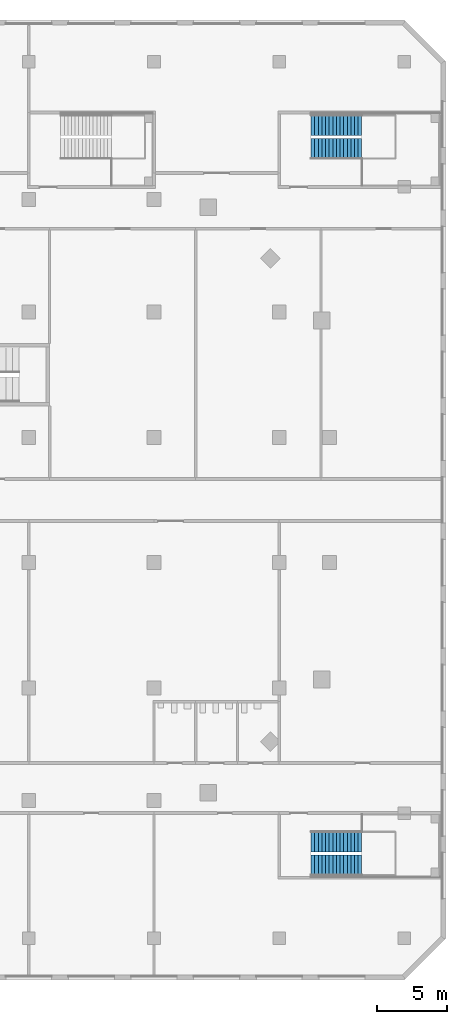
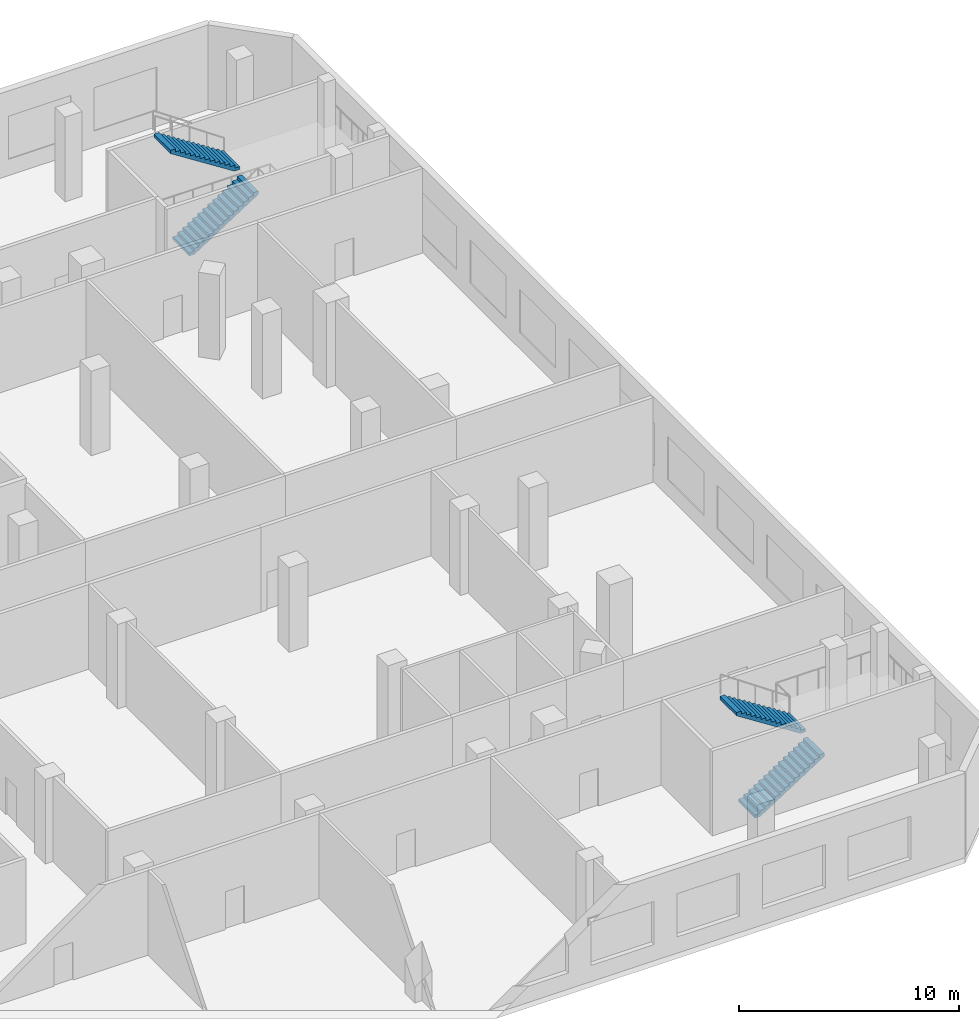
# One storey, part 16 of 21: 4 stair flights, 2 elements without a shape of their own.
"""IFC4 building model written with IfcOpenShell, lengths in metres."""

from ifc_helpers import new_model, si_unit, direction, frame, origin, place, context, subcontext, project, spatial, polyline, outline, extrude, material, type_object, element, aggregate, save


model = new_model("IFC4")

# Units and contexts
model_context = context("Model", 3, precision=1e-05, world=origin(), true_north=direction((0.0, 1.0)))
body_context = subcontext(model_context, "Body", "Model", "MODEL_VIEW")
ifc_project = project(units=[si_unit("LENGTHUNIT", "METRE"), si_unit("AREAUNIT", "SQUARE_METRE"), si_unit("VOLUMEUNIT", "CUBIC_METRE"), si_unit("PLANEANGLEUNIT", "RADIAN"), si_unit("MASSUNIT", "GRAM", prefix="KILO")], contexts=[model_context])

# Site, building, storey
site_placement = place(None, origin())
site = spatial("IfcSite", under=ifc_project, at=site_placement, CompositionType="ELEMENT")
building_placement = place(site_placement, origin())
building = spatial("IfcBuilding", under=site, at=building_placement, Name="Cinnabar Reach Civic Tower", CompositionType="ELEMENT")
storey_placement = place(building_placement, frame((0.0, 0.0, 16.0)))
storey = spatial("IfcBuildingStorey", under=building, at=storey_placement, Name="L03", CompositionType="ELEMENT", Elevation=16.0)

# Stair, stair flights
ifc_material = material(Name="Concrete C35", Category="concrete")
stair_type = type_object("IfcStairType", Name="Podium exit stair 1500", PredefinedType="HALF_TURN_STAIR", material=ifc_material)
stair_1_placement = place(storey_placement, origin())
stair_1 = element("IfcStair", 1, at=stair_1_placement, inside=storey, type_object=stair_type, Name="Stair PS4", PredefinedType="HALF_TURN_STAIR")
stair_flight_type = type_object("IfcStairFlightType", Name="Podium exit stair flight 1500", PredefinedType="STRAIGHT", material=ifc_material)
stair_flight_1_placement = place(storey_placement, frame((56.29, -3.75, 0.0), z_axis=(0.0, 0.0, 1.0), x_axis=(1.0, 0.0, 0.0)))
stair_flight_1 = element("IfcStairFlight", 2, at=stair_flight_1_placement, type_object=stair_flight_type, Name="PS4 flight 1", NumberOfRisers=15, NumberOfTreads=14, PredefinedType="STRAIGHT", RiserHeight=0.166666667, TreadLength=0.26, context=body_context, shape_type="SweptSolid", body=[
    extrude(outline(polyline([(0.0, 0.0), (0.0, 0.1667), (0.26, 0.1667), (0.26, 0.3333), (0.52, 0.3333), (0.52, 0.5), (0.78, 0.5), (0.78, 0.6667), (1.04, 0.6667), (1.04, 0.8333), (1.3, 0.8333), (1.3, 1.0), (1.56, 1.0), (1.56, 1.1667), (1.82, 1.1667), (1.82, 1.3333), (2.08, 1.3333), (2.08, 1.5), (2.34, 1.5), (2.34, 1.6667), (2.6, 1.6667), (2.6, 1.8333), (2.86, 1.8333), (2.86, 2.0), (3.12, 2.0), (3.12, 2.1667), (3.38, 2.1667), (3.38, 2.3333), (3.64, 2.3333), (3.64, 2.5), (3.64, 2.1552), (0.2779, 0.0), (0.0, 0.0)])), frame((0.0, 0.75, 0.0), z_axis=(0.0, -1.0, 0.0), x_axis=(1.0, 0.0, 0.0)), (0.0, 0.0, 1.0), 1.5),
])
stair_flight_2_placement = place(storey_placement, frame((59.93, -2.05, 2.5), z_axis=(0.0, 0.0, 1.0), x_axis=(-1.0, 0.0, 0.0)))
stair_flight_2 = element("IfcStairFlight", 3, at=stair_flight_2_placement, type_object=stair_flight_type, Name="PS4 flight 2", NumberOfRisers=15, NumberOfTreads=14, PredefinedType="STRAIGHT", RiserHeight=0.166666667, TreadLength=0.26, context=body_context, shape_type="SweptSolid", body=[
    extrude(outline(polyline([(0.0, 0.0), (0.0, 0.1667), (0.26, 0.1667), (0.26, 0.3333), (0.52, 0.3333), (0.52, 0.5), (0.78, 0.5), (0.78, 0.6667), (1.04, 0.6667), (1.04, 0.8333), (1.3, 0.8333), (1.3, 1.0), (1.56, 1.0), (1.56, 1.1667), (1.82, 1.1667), (1.82, 1.3333), (2.08, 1.3333), (2.08, 1.5), (2.34, 1.5), (2.34, 1.6667), (2.6, 1.6667), (2.6, 1.8333), (2.86, 1.8333), (2.86, 2.0), (3.12, 2.0), (3.12, 2.1667), (3.38, 2.1667), (3.38, 2.3333), (3.64, 2.3333), (3.64, 2.5), (3.64, 2.1552), (0.2779, 0.0), (0.0, 0.0)])), frame((0.0, 0.75, 0.0), z_axis=(0.0, -1.0, 0.0), x_axis=(1.0, 0.0, 0.0)), (0.0, 0.0, 1.0), 1.5),
])
aggregate(stair_1, [stair_flight_1, stair_flight_2])

stair_2_placement = place(storey_placement, origin())
stair_2 = element("IfcStair", 4, at=stair_2_placement, inside=storey, type_object=stair_type, Name="Stair PS5", PredefinedType="HALF_TURN_STAIR")
stair_flight_3_placement = place(storey_placement, frame((56.29, 47.75, 0.0), z_axis=(0.0, 0.0, 1.0), x_axis=(1.0, 0.0, 0.0)))
stair_flight_3 = element("IfcStairFlight", 5, at=stair_flight_3_placement, type_object=stair_flight_type, Name="PS5 flight 1", NumberOfRisers=15, NumberOfTreads=14, PredefinedType="STRAIGHT", RiserHeight=0.166666667, TreadLength=0.26, context=body_context, shape_type="SweptSolid", body=[
    extrude(outline(polyline([(0.0, 0.0), (0.0, 0.1667), (0.26, 0.1667), (0.26, 0.3333), (0.52, 0.3333), (0.52, 0.5), (0.78, 0.5), (0.78, 0.6667), (1.04, 0.6667), (1.04, 0.8333), (1.3, 0.8333), (1.3, 1.0), (1.56, 1.0), (1.56, 1.1667), (1.82, 1.1667), (1.82, 1.3333), (2.08, 1.3333), (2.08, 1.5), (2.34, 1.5), (2.34, 1.6667), (2.6, 1.6667), (2.6, 1.8333), (2.86, 1.8333), (2.86, 2.0), (3.12, 2.0), (3.12, 2.1667), (3.38, 2.1667), (3.38, 2.3333), (3.64, 2.3333), (3.64, 2.5), (3.64, 2.1552), (0.2779, 0.0), (0.0, 0.0)])), frame((0.0, 0.75, 0.0), z_axis=(0.0, -1.0, 0.0), x_axis=(1.0, 0.0, 0.0)), (0.0, 0.0, 1.0), 1.5),
])
stair_flight_4_placement = place(storey_placement, frame((59.93, 49.45, 2.5), z_axis=(0.0, 0.0, 1.0), x_axis=(-1.0, 0.0, 0.0)))
stair_flight_4 = element("IfcStairFlight", 6, at=stair_flight_4_placement, type_object=stair_flight_type, Name="PS5 flight 2", NumberOfRisers=15, NumberOfTreads=14, PredefinedType="STRAIGHT", RiserHeight=0.166666667, TreadLength=0.26, context=body_context, shape_type="SweptSolid", body=[
    extrude(outline(polyline([(0.0, 0.0), (0.0, 0.1667), (0.26, 0.1667), (0.26, 0.3333), (0.52, 0.3333), (0.52, 0.5), (0.78, 0.5), (0.78, 0.6667), (1.04, 0.6667), (1.04, 0.8333), (1.3, 0.8333), (1.3, 1.0), (1.56, 1.0), (1.56, 1.1667), (1.82, 1.1667), (1.82, 1.3333), (2.08, 1.3333), (2.08, 1.5), (2.34, 1.5), (2.34, 1.6667), (2.6, 1.6667), (2.6, 1.8333), (2.86, 1.8333), (2.86, 2.0), (3.12, 2.0), (3.12, 2.1667), (3.38, 2.1667), (3.38, 2.3333), (3.64, 2.3333), (3.64, 2.5), (3.64, 2.1552), (0.2779, 0.0), (0.0, 0.0)])), frame((0.0, 0.75, 0.0), z_axis=(0.0, -1.0, 0.0), x_axis=(1.0, 0.0, 0.0)), (0.0, 0.0, 1.0), 1.5),
])
aggregate(stair_2, [stair_flight_3, stair_flight_4])

save(model, "model.ifc")
